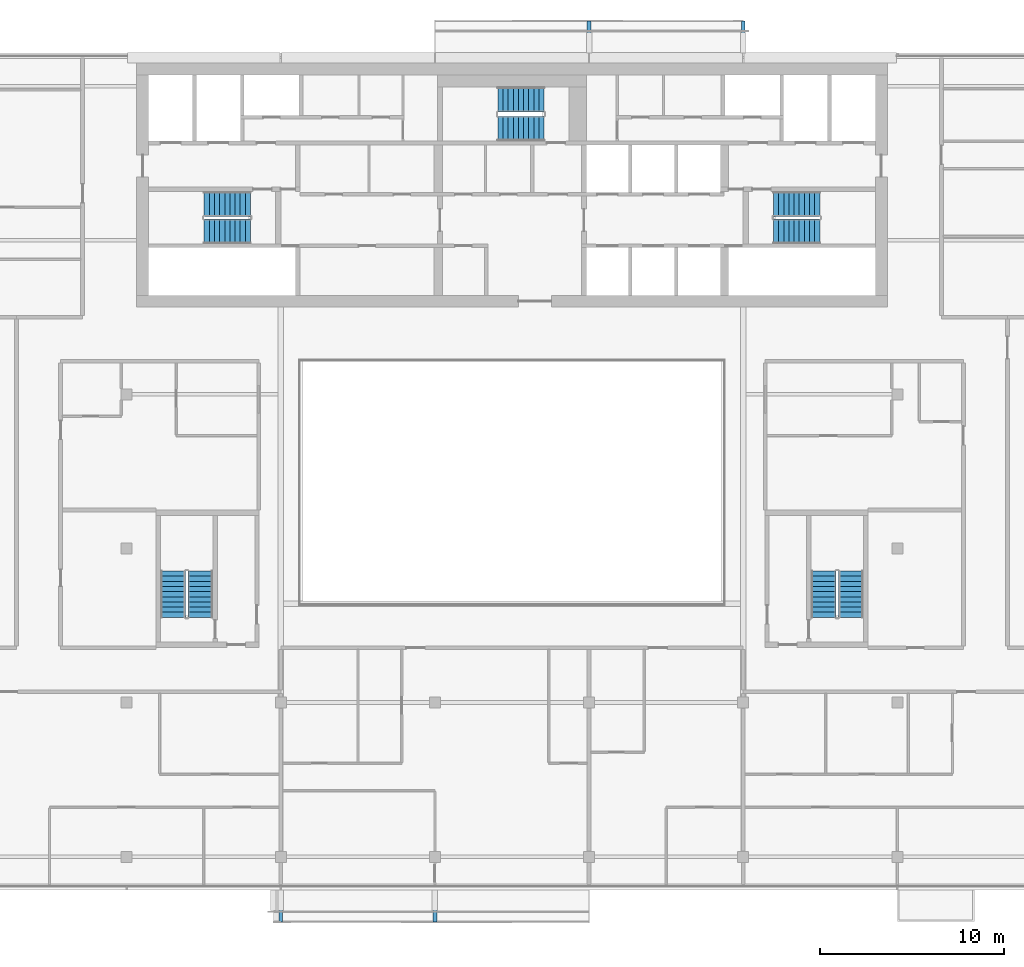
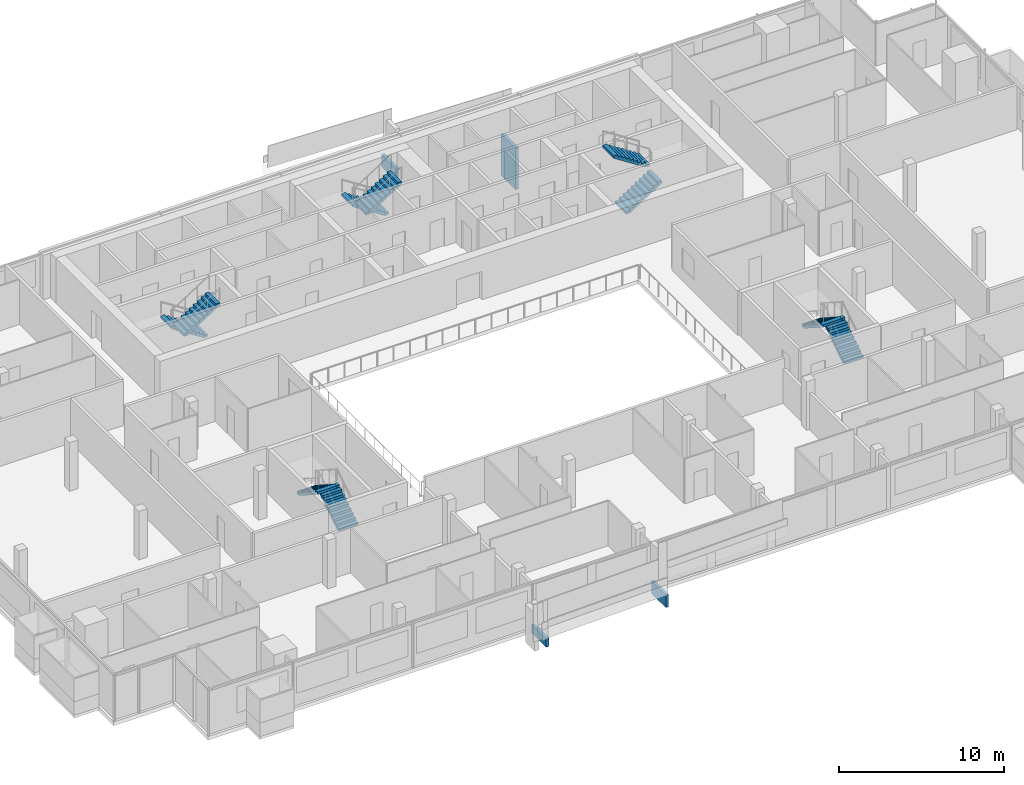
# One storey, part 25 of 27: 10 stair flights, 4 discrete accessories, 5 elements without a shape of their own.
"""IFC4 building model written with IfcOpenShell, lengths in metres."""

from ifc_helpers import new_model, si_unit, direction, frame, origin, origin_2d, place, context, subcontext, project, spatial, polyline, rectangle, outline, extrude, material, type_object, element, aggregate, save


model = new_model("IFC4")

# Units and contexts
model_context = context("Model", 3, precision=1e-05, world=origin(), true_north=direction((0.0, 1.0)))
body_context = subcontext(model_context, "Body", "Model", "MODEL_VIEW")
ifc_project = project(units=[si_unit("LENGTHUNIT", "METRE"), si_unit("AREAUNIT", "SQUARE_METRE"), si_unit("VOLUMEUNIT", "CUBIC_METRE"), si_unit("PLANEANGLEUNIT", "RADIAN"), si_unit("MASSUNIT", "GRAM", prefix="KILO")], contexts=[model_context])

# Site, building, storey
site_placement = place(None, origin())
site = spatial("IfcSite", under=ifc_project, at=site_placement, CompositionType="ELEMENT")
building_placement = place(site_placement, origin())
building = spatial("IfcBuilding", under=site, at=building_placement, Name="Saffron Gate Tower", CompositionType="ELEMENT")
storey_placement = place(building_placement, frame((0.0, 0.0, 209.10009765625)))
storey = spatial("IfcBuildingStorey", under=building, at=storey_placement, Name="L50", CompositionType="ELEMENT", Elevation=209.10009765625)

# Stair, stair flights
ifc_material = material(Name="Concrete C40", Category="concrete")
stair_type = type_object("IfcStairType", Name="ST7 Stair 1350 wide, 20 risers of 180", PredefinedType="HALF_TURN_STAIR", material=ifc_material)
stair_1_placement = place(storey_placement, origin())
stair_1 = element("IfcStair", 1, at=stair_1_placement, inside=storey, type_object=stair_type, Name="L50 Exit stair A", PredefinedType="HALF_TURN_STAIR")
stair_flight_type = type_object("IfcStairFlightType", Name="SF3 Stair flight 1350 wide, riser 180 going 280", PredefinedType="STRAIGHT", material=ifc_material)
stair_flight_1_placement = place(storey_placement, frame((73.35009765625, 67.375, 0.0), z_axis=(0.0, 0.0, 1.0), x_axis=(-1.0, 0.0, 0.0)))
stair_flight_1 = element("IfcStairFlight", 2, at=stair_flight_1_placement, type_object=stair_flight_type, Name="ST-A flight 1", NumberOfRisers=10, NumberOfTreads=9, PredefinedType="STRAIGHT", RiserHeight=0.18, TreadLength=0.28, context=body_context, shape_type="SweptSolid", body=[
    extrude(outline(polyline([(0.0, 0.0), (0.0, 0.179931640625), (0.280029296875, 0.179931640625), (0.280029296875, 0.360107421875), (0.56005859375, 0.360107421875), (0.56005859375, 0.5400390625), (0.840087890625, 0.5400390625), (0.840087890625, 0.719970703125), (1.1201171875, 0.719970703125), (1.1201171875, 0.89990234375), (1.39990234375, 0.89990234375), (1.39990234375, 1.080078125), (1.679931640625, 1.080078125), (1.679931640625, 1.260009765625), (1.9599609375, 1.260009765625), (1.9599609375, 1.43994140625), (2.239990234375, 1.43994140625), (2.239990234375, 1.6201171875), (2.52001953125, 1.6201171875), (2.52001953125, 1.800048828125), (2.52001953125, 1.44189453125), (0.277099609375, 0.0), (0.0, 0.0)])), frame((0.0, 0.675048828125, 0.0), z_axis=(0.0, -1.0, 0.0), x_axis=(1.0, 0.0, 0.0)), (0.0, 0.0, 1.0), 1.35009765625),
])
stair_flight_2_placement = place(storey_placement, frame((70.830078125, 65.875, 1.7998046875), z_axis=(0.0, 0.0, 1.0), x_axis=(1.0, 0.0, 0.0)))
stair_flight_2 = element("IfcStairFlight", 3, at=stair_flight_2_placement, type_object=stair_flight_type, Name="ST-A flight 2", NumberOfRisers=10, NumberOfTreads=9, PredefinedType="STRAIGHT", RiserHeight=0.18, TreadLength=0.28, context=body_context, shape_type="SweptSolid", body=[
    extrude(outline(polyline([(0.0, 0.0), (0.0, 0.179931640625), (0.280029296875, 0.179931640625), (0.280029296875, 0.360107421875), (0.56005859375, 0.360107421875), (0.56005859375, 0.5400390625), (0.840087890625, 0.5400390625), (0.840087890625, 0.719970703125), (1.1201171875, 0.719970703125), (1.1201171875, 0.89990234375), (1.39990234375, 0.89990234375), (1.39990234375, 1.080078125), (1.679931640625, 1.080078125), (1.679931640625, 1.260009765625), (1.9599609375, 1.260009765625), (1.9599609375, 1.43994140625), (2.239990234375, 1.43994140625), (2.239990234375, 1.6201171875), (2.52001953125, 1.6201171875), (2.52001953125, 1.800048828125), (2.52001953125, 1.44189453125), (0.277099609375, 0.0), (0.0, 0.0)])), frame((0.0, 0.675048828125, 0.0), z_axis=(0.0, -1.0, 0.0), x_axis=(1.0, 0.0, 0.0)), (0.0, 0.0, 1.0), 1.35009765625),
])
aggregate(stair_1, [stair_flight_1, stair_flight_2])

stair_2_placement = place(storey_placement, origin())
stair_2 = element("IfcStair", 4, at=stair_2_placement, inside=storey, type_object=stair_type, Name="L50 Exit stair B", PredefinedType="HALF_TURN_STAIR")
stair_flight_3_placement = place(storey_placement, frame((101.85009765625, 65.875, 0.0), z_axis=(0.0, 0.0, 1.0), x_axis=(1.0, 0.0, 0.0)))
stair_flight_3 = element("IfcStairFlight", 5, at=stair_flight_3_placement, type_object=stair_flight_type, Name="ST-B flight 1", NumberOfRisers=10, NumberOfTreads=9, PredefinedType="STRAIGHT", RiserHeight=0.18, TreadLength=0.28, context=body_context, shape_type="SweptSolid", body=[
    extrude(outline(polyline([(0.0, 0.0), (0.0, 0.179931640625), (0.280029296875, 0.179931640625), (0.280029296875, 0.360107421875), (0.56005859375, 0.360107421875), (0.56005859375, 0.5400390625), (0.840087890625, 0.5400390625), (0.840087890625, 0.719970703125), (1.1201171875, 0.719970703125), (1.1201171875, 0.89990234375), (1.39990234375, 0.89990234375), (1.39990234375, 1.080078125), (1.679931640625, 1.080078125), (1.679931640625, 1.260009765625), (1.9599609375, 1.260009765625), (1.9599609375, 1.43994140625), (2.239990234375, 1.43994140625), (2.239990234375, 1.6201171875), (2.52001953125, 1.6201171875), (2.52001953125, 1.800048828125), (2.52001953125, 1.44189453125), (0.277099609375, 0.0), (0.0, 0.0)])), frame((0.0, 0.675048828125, 0.0), z_axis=(0.0, -1.0, 0.0), x_axis=(1.0, 0.0, 0.0)), (0.0, 0.0, 1.0), 1.35009765625),
])
stair_flight_4_placement = place(storey_placement, frame((104.3701171875, 67.375, 1.7998046875), z_axis=(0.0, 0.0, 1.0), x_axis=(-1.0, 0.0, 0.0)))
stair_flight_4 = element("IfcStairFlight", 6, at=stair_flight_4_placement, type_object=stair_flight_type, Name="ST-B flight 2", NumberOfRisers=10, NumberOfTreads=9, PredefinedType="STRAIGHT", RiserHeight=0.18, TreadLength=0.28, context=body_context, shape_type="SweptSolid", body=[
    extrude(outline(polyline([(0.0, 0.0), (0.0, 0.179931640625), (0.280029296875, 0.179931640625), (0.280029296875, 0.360107421875), (0.56005859375, 0.360107421875), (0.56005859375, 0.5400390625), (0.840087890625, 0.5400390625), (0.840087890625, 0.719970703125), (1.1201171875, 0.719970703125), (1.1201171875, 0.89990234375), (1.39990234375, 0.89990234375), (1.39990234375, 1.080078125), (1.679931640625, 1.080078125), (1.679931640625, 1.260009765625), (1.9599609375, 1.260009765625), (1.9599609375, 1.43994140625), (2.239990234375, 1.43994140625), (2.239990234375, 1.6201171875), (2.52001953125, 1.6201171875), (2.52001953125, 1.800048828125), (2.52001953125, 1.44189453125), (0.277099609375, 0.0), (0.0, 0.0)])), frame((0.0, 0.675048828125, 0.0), z_axis=(0.0, -1.0, 0.0), x_axis=(1.0, 0.0, 0.0)), (0.0, 0.0, 1.0), 1.35009765625),
])
aggregate(stair_2, [stair_flight_3, stair_flight_4])

stair_3_placement = place(storey_placement, origin())
stair_3 = element("IfcStair", 7, at=stair_3_placement, inside=storey, type_object=stair_type, Name="L50 Exit stair C", PredefinedType="HALF_TURN_STAIR")
stair_flight_5_placement = place(storey_placement, frame((89.35009765625, 73.074951171875, 0.0), z_axis=(0.0, 0.0, 1.0), x_axis=(-1.0, 0.0, 0.0)))
stair_flight_5 = element("IfcStairFlight", 8, at=stair_flight_5_placement, type_object=stair_flight_type, Name="ST-C flight 1", NumberOfRisers=10, NumberOfTreads=9, PredefinedType="STRAIGHT", RiserHeight=0.18, TreadLength=0.28, context=body_context, shape_type="SweptSolid", body=[
    extrude(outline(polyline([(0.0, 0.0), (0.0, 0.179931640625), (0.280029296875, 0.179931640625), (0.280029296875, 0.360107421875), (0.56005859375, 0.360107421875), (0.56005859375, 0.5400390625), (0.840087890625, 0.5400390625), (0.840087890625, 0.719970703125), (1.1201171875, 0.719970703125), (1.1201171875, 0.89990234375), (1.39990234375, 0.89990234375), (1.39990234375, 1.080078125), (1.679931640625, 1.080078125), (1.679931640625, 1.260009765625), (1.9599609375, 1.260009765625), (1.9599609375, 1.43994140625), (2.239990234375, 1.43994140625), (2.239990234375, 1.6201171875), (2.52001953125, 1.6201171875), (2.52001953125, 1.800048828125), (2.52001953125, 1.44189453125), (0.277099609375, 0.0), (0.0, 0.0)])), frame((0.0, 0.675048828125, 0.0), z_axis=(0.0, -1.0, 0.0), x_axis=(1.0, 0.0, 0.0)), (0.0, 0.0, 1.0), 1.35009765625),
])
stair_flight_6_placement = place(storey_placement, frame((86.830078125, 71.47509765625, 1.7998046875), z_axis=(0.0, 0.0, 1.0), x_axis=(1.0, 0.0, 0.0)))
stair_flight_6 = element("IfcStairFlight", 9, at=stair_flight_6_placement, type_object=stair_flight_type, Name="ST-C flight 2", NumberOfRisers=10, NumberOfTreads=9, PredefinedType="STRAIGHT", RiserHeight=0.18, TreadLength=0.28, context=body_context, shape_type="SweptSolid", body=[
    extrude(outline(polyline([(0.0, 0.0), (0.0, 0.179931640625), (0.280029296875, 0.179931640625), (0.280029296875, 0.360107421875), (0.56005859375, 0.360107421875), (0.56005859375, 0.5400390625), (0.840087890625, 0.5400390625), (0.840087890625, 0.719970703125), (1.1201171875, 0.719970703125), (1.1201171875, 0.89990234375), (1.39990234375, 0.89990234375), (1.39990234375, 1.080078125), (1.679931640625, 1.080078125), (1.679931640625, 1.260009765625), (1.9599609375, 1.260009765625), (1.9599609375, 1.43994140625), (2.239990234375, 1.43994140625), (2.239990234375, 1.6201171875), (2.52001953125, 1.6201171875), (2.52001953125, 1.800048828125), (2.52001953125, 1.44189453125), (0.277099609375, 0.0), (0.0, 0.0)])), frame((0.0, 0.675048828125, 0.0), z_axis=(0.0, -1.0, 0.0), x_axis=(1.0, 0.0, 0.0)), (0.0, 0.0, 1.0), 1.35009765625),
])
aggregate(stair_3, [stair_flight_5, stair_flight_6])

stair_4_placement = place(storey_placement, origin())
stair_4 = element("IfcStair", 10, at=stair_4_placement, inside=storey, type_object=stair_type, Name="L50 Exit stair D", PredefinedType="HALF_TURN_STAIR")
stair_flight_7_placement = place(storey_placement, frame((70.625, 44.85009765625, 0.0), z_axis=(0.0, 0.0, 1.0), x_axis=(0.0, 1.0, 0.0)))
stair_flight_7 = element("IfcStairFlight", 11, at=stair_flight_7_placement, type_object=stair_flight_type, Name="ST-D flight 1", NumberOfRisers=10, NumberOfTreads=9, PredefinedType="STRAIGHT", RiserHeight=0.18, TreadLength=0.28, context=body_context, shape_type="SweptSolid", body=[
    extrude(outline(polyline([(0.0, 0.0), (0.0, 0.179931640625), (0.280029296875, 0.179931640625), (0.280029296875, 0.360107421875), (0.56005859375, 0.360107421875), (0.56005859375, 0.5400390625), (0.840087890625, 0.5400390625), (0.840087890625, 0.719970703125), (1.1201171875, 0.719970703125), (1.1201171875, 0.89990234375), (1.39990234375, 0.89990234375), (1.39990234375, 1.080078125), (1.679931640625, 1.080078125), (1.679931640625, 1.260009765625), (1.9599609375, 1.260009765625), (1.9599609375, 1.43994140625), (2.239990234375, 1.43994140625), (2.239990234375, 1.6201171875), (2.52001953125, 1.6201171875), (2.52001953125, 1.800048828125), (2.52001953125, 1.44189453125), (0.277099609375, 0.0), (0.0, 0.0)])), frame((0.0, 0.675048828125, 0.0), z_axis=(0.0, -1.0, 0.0), x_axis=(1.0, 0.0, 0.0)), (0.0, 0.0, 1.0), 1.35009765625),
])
stair_flight_8_placement = place(storey_placement, frame((69.125, 47.3701171875, 1.7998046875), z_axis=(0.0, 0.0, 1.0), x_axis=(0.0, -1.0, 0.0)))
stair_flight_8 = element("IfcStairFlight", 12, at=stair_flight_8_placement, type_object=stair_flight_type, Name="ST-D flight 2", NumberOfRisers=10, NumberOfTreads=9, PredefinedType="STRAIGHT", RiserHeight=0.18, TreadLength=0.28, context=body_context, shape_type="SweptSolid", body=[
    extrude(outline(polyline([(0.0, 0.0), (0.0, 0.179931640625), (0.280029296875, 0.179931640625), (0.280029296875, 0.360107421875), (0.56005859375, 0.360107421875), (0.56005859375, 0.5400390625), (0.840087890625, 0.5400390625), (0.840087890625, 0.719970703125), (1.1201171875, 0.719970703125), (1.1201171875, 0.89990234375), (1.39990234375, 0.89990234375), (1.39990234375, 1.080078125), (1.679931640625, 1.080078125), (1.679931640625, 1.260009765625), (1.9599609375, 1.260009765625), (1.9599609375, 1.43994140625), (2.239990234375, 1.43994140625), (2.239990234375, 1.6201171875), (2.52001953125, 1.6201171875), (2.52001953125, 1.800048828125), (2.52001953125, 1.44189453125), (0.277099609375, 0.0), (0.0, 0.0)])), frame((0.0, 0.675048828125, 0.0), z_axis=(0.0, -1.0, 0.0), x_axis=(1.0, 0.0, 0.0)), (0.0, 0.0, 1.0), 1.35009765625),
])
aggregate(stair_4, [stair_flight_7, stair_flight_8])

stair_5_placement = place(storey_placement, origin())
stair_5 = element("IfcStair", 13, at=stair_5_placement, inside=storey, type_object=stair_type, Name="L50 Exit stair E", PredefinedType="HALF_TURN_STAIR")
stair_flight_9_placement = place(storey_placement, frame((106.074951171875, 44.85009765625, 0.0), z_axis=(0.0, 0.0, 1.0), x_axis=(0.0, 1.0, 0.0)))
stair_flight_9 = element("IfcStairFlight", 14, at=stair_flight_9_placement, type_object=stair_flight_type, Name="ST-E flight 1", NumberOfRisers=10, NumberOfTreads=9, PredefinedType="STRAIGHT", RiserHeight=0.18, TreadLength=0.28, context=body_context, shape_type="SweptSolid", body=[
    extrude(outline(polyline([(0.0, 0.0), (0.0, 0.179931640625), (0.280029296875, 0.179931640625), (0.280029296875, 0.360107421875), (0.56005859375, 0.360107421875), (0.56005859375, 0.5400390625), (0.840087890625, 0.5400390625), (0.840087890625, 0.719970703125), (1.1201171875, 0.719970703125), (1.1201171875, 0.89990234375), (1.39990234375, 0.89990234375), (1.39990234375, 1.080078125), (1.679931640625, 1.080078125), (1.679931640625, 1.260009765625), (1.9599609375, 1.260009765625), (1.9599609375, 1.43994140625), (2.239990234375, 1.43994140625), (2.239990234375, 1.6201171875), (2.52001953125, 1.6201171875), (2.52001953125, 1.800048828125), (2.52001953125, 1.44189453125), (0.277099609375, 0.0), (0.0, 0.0)])), frame((0.0, 0.675048828125, 0.0), z_axis=(0.0, -1.0, 0.0), x_axis=(1.0, 0.0, 0.0)), (0.0, 0.0, 1.0), 1.35009765625),
])
stair_flight_10_placement = place(storey_placement, frame((104.574951171875, 47.3701171875, 1.7998046875), z_axis=(0.0, 0.0, 1.0), x_axis=(0.0, -1.0, 0.0)))
stair_flight_10 = element("IfcStairFlight", 15, at=stair_flight_10_placement, type_object=stair_flight_type, Name="ST-E flight 2", NumberOfRisers=10, NumberOfTreads=9, PredefinedType="STRAIGHT", RiserHeight=0.18, TreadLength=0.28, context=body_context, shape_type="SweptSolid", body=[
    extrude(outline(polyline([(0.0, 0.0), (0.0, 0.179931640625), (0.280029296875, 0.179931640625), (0.280029296875, 0.360107421875), (0.56005859375, 0.360107421875), (0.56005859375, 0.5400390625), (0.840087890625, 0.5400390625), (0.840087890625, 0.719970703125), (1.1201171875, 0.719970703125), (1.1201171875, 0.89990234375), (1.39990234375, 0.89990234375), (1.39990234375, 1.080078125), (1.679931640625, 1.080078125), (1.679931640625, 1.260009765625), (1.9599609375, 1.260009765625), (1.9599609375, 1.43994140625), (2.239990234375, 1.43994140625), (2.239990234375, 1.6201171875), (2.52001953125, 1.6201171875), (2.52001953125, 1.800048828125), (2.52001953125, 1.44189453125), (0.277099609375, 0.0), (0.0, 0.0)])), frame((0.0, 0.675048828125, 0.0), z_axis=(0.0, -1.0, 0.0), x_axis=(1.0, 0.0, 0.0)), (0.0, 0.0, 1.0), 1.35009765625),
])
aggregate(stair_5, [stair_flight_9, stair_flight_10])

# Discrete accessories
discrete_accessory_1_placement = place(storey_placement, frame((75.0, 29.125, -0.280029296875), z_axis=(0.0, 0.0, 1.0), x_axis=(1.0, 0.0, 0.0)))
element("IfcDiscreteAccessory", 16, at=discrete_accessory_1_placement, inside=storey, Name="LEDGE rib", PredefinedType="BRACKET", context=body_context, shape_type="SweptSolid", body=[
    extrude(rectangle(XDim=0.199951171875, YDim=1.75, at=origin_2d()), origin(), (0.0, 0.0, 1.0), 0.6376953125),
])
discrete_accessory_2_placement = place(storey_placement, frame((83.39990234375, 29.125, -0.2802734375), z_axis=(0.0, 0.0, 1.0), x_axis=(1.0, 0.0, 0.0)))
element("IfcDiscreteAccessory", 17, at=discrete_accessory_2_placement, inside=storey, Name="LEDGE rib", PredefinedType="BRACKET", context=body_context, shape_type="SweptSolid", body=[
    extrude(rectangle(XDim=0.199951171875, YDim=1.75, at=origin_2d()), origin(), (0.0, 0.0, 1.0), 0.936767578125),
])
discrete_accessory_3_placement = place(storey_placement, frame((100.199951171875, 76.47509765625, -3.8798828125), z_axis=(0.0, 0.0, 1.0), x_axis=(-1.0, 0.0, 0.0)))
element("IfcDiscreteAccessory", 18, at=discrete_accessory_3_placement, inside=storey, Name="LEDGE rib", PredefinedType="BRACKET", context=body_context, shape_type="SweptSolid", body=[
    extrude(rectangle(XDim=0.199951171875, YDim=1.75, at=origin_2d()), origin(), (0.0, 0.0, 1.0), 3.094482421875),
])
discrete_accessory_4_placement = place(storey_placement, frame((91.800048828125, 76.47509765625, -0.2802734375), z_axis=(0.0, 0.0, 1.0), x_axis=(-1.0, 0.0, 0.0)))
element("IfcDiscreteAccessory", 19, at=discrete_accessory_4_placement, inside=storey, Name="LEDGE rib", PredefinedType="BRACKET", context=body_context, shape_type="SweptSolid", body=[
    extrude(rectangle(XDim=0.199951171875, YDim=1.75, at=origin_2d()), origin(), (0.0, 0.0, 1.0), 0.936767578125),
])

save(model, "model.ifc")
